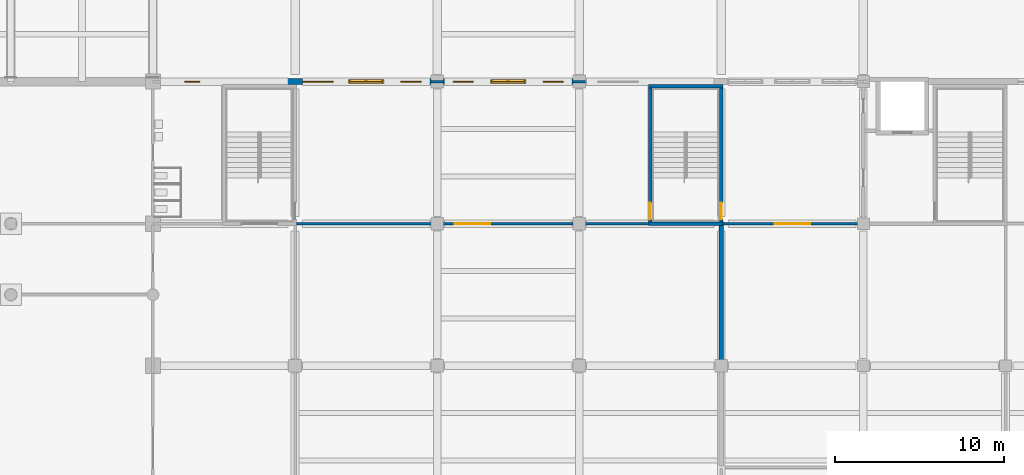
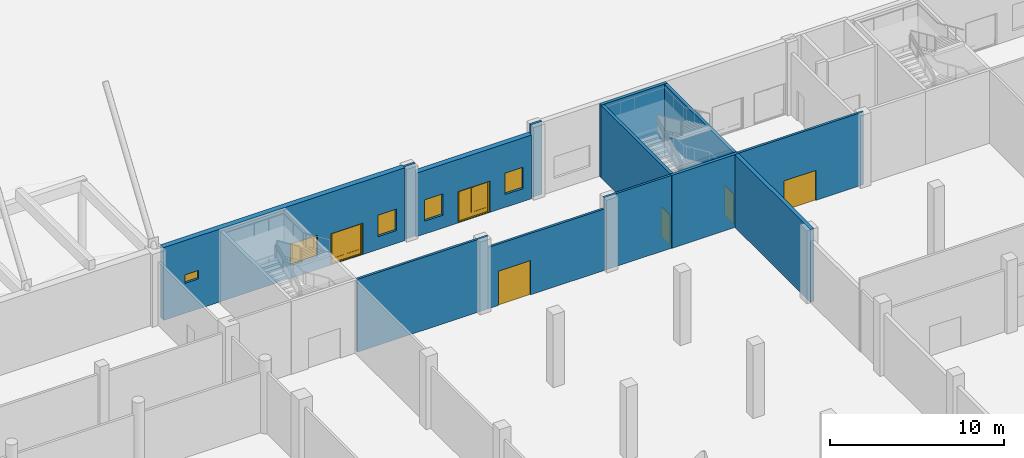
# One storey, part 32 of 74: 13 walls, 6 doors, 5 windows, 11 openings.
"""IFC4 building model written with IfcOpenShell, lengths in metres."""

from ifc_helpers import new_model, si_unit, direction, frame, frame_2d, origin, place, context, subcontext, project, spatial, rectangle, extrude, material, layer, layer_set, type_object, element, fill, save


model = new_model("IFC4")

# Units and contexts
model_context = context("Model", 3, precision=1e-05, world=origin(), true_north=direction((0.0, 1.0)))
body_context = subcontext(model_context, "Body", "Model", "MODEL_VIEW")
ifc_project = project(units=[si_unit("LENGTHUNIT", "METRE"), si_unit("AREAUNIT", "SQUARE_METRE"), si_unit("VOLUMEUNIT", "CUBIC_METRE"), si_unit("PLANEANGLEUNIT", "RADIAN"), si_unit("MASSUNIT", "GRAM", prefix="KILO")], contexts=[model_context])

# Site, building, storey
site_placement = place(None, origin())
site = spatial("IfcSite", under=ifc_project, at=site_placement, CompositionType="ELEMENT")
building_placement = place(site_placement, origin())
building = spatial("IfcBuilding", under=site, at=building_placement, Name="Rulbaag Community and Learning Centre", CompositionType="ELEMENT")
storey_placement = place(building_placement, origin())
storey = spatial("IfcBuildingStorey", under=building, at=storey_placement, Name="L00", CompositionType="ELEMENT", Elevation=0.0)

# Wall
ifc_material_1 = material(Name="Concrete M30", Category="concrete")
ifc_layer_1 = layer(ifc_material_1, 0.25)
ifc_layer_set_1 = layer_set([ifc_layer_1], Name="CW-250 COMPARTMENT WALL 250")
wall_type_1 = type_object("IfcWallType", Name="CW-250 COMPARTMENT WALL 250", PredefinedType="SOLIDWALL", material=ifc_layer_set_1)
wall_1_placement = place(storey_placement, frame((117.60009765625, 33.2451171875, 0.0), z_axis=(0.0, 0.0, 1.0), x_axis=(0.0, 1.0, 0.0)))
element("IfcWall", 1, at=wall_1_placement, inside=storey, type_object=wall_type_1, Name="Fire wall L00 89.2", PredefinedType="SOLIDWALL", context=body_context, shape_type="SweptSolid", body=[
    extrude(rectangle(XDim=8.85498046875, YDim=0.25, at=frame_2d((4.427490234375, 0.0))), origin(), (0.0, 0.0, 1.0), 5.10009765625),
])

# Wall, openings, door, windows
ifc_material_2 = material(Name="Concrete M40", Category="concrete")
ifc_layer_2 = layer(ifc_material_2, 0.35009765625)
ifc_layer_set_2 = layer_set([ifc_layer_2], Name="EW-CONC350")
wall_type_2 = type_object("IfcWallType", Name="EW-CONC350", PredefinedType="STANDARD", material=ifc_layer_set_2)
wall_2_placement = place(storey_placement, frame((84.449951171875, 50.39990234375, 0.0), z_axis=(0.0, 0.0, 1.0), x_axis=(1.0, 0.0, 0.0)))
wall_2 = element("IfcWall", 2, at=wall_2_placement, inside=storey, type_object=wall_type_2, Name="Board-marked concrete cladding wall AN", PredefinedType="STANDARD", context=body_context, shape_type="SweptSolid", body=[
    extrude(rectangle(XDim=15.97509765625, YDim=0.35009765625, at=frame_2d((7.987548828125, 0.0))), origin(), (0.0, 0.0, 1.0), 5.10009765625),
])
opening_1_placement = place(wall_2_placement, frame((11.10009765625, 0.0, 0.0)))
opening_1 = element("IfcOpeningElement", 3, at=opening_1_placement, cuts=wall_2, Name="Opening L00-D092", PredefinedType="OPENING", context=body_context, shape_type="SweptSolid", body=[
    extrude(rectangle(XDim=2.10009765625, YDim=2.199951171875, at=frame_2d((1.050048828125, 1.10009765625))), frame((0.0, 0.18505859375, 0.0), z_axis=(0.0, -1.0, 0.0), x_axis=(1.0, 0.0, 0.0)), (0.0, 0.0, 1.0), 0.3701171875),
])
opening_2_placement = place(wall_2_placement, frame((1.425048828125, 0.0, 2.10009765625)))
opening_2 = element("IfcOpeningElement", 4, at=opening_2_placement, cuts=wall_2, Name="Opening WN5", PredefinedType="OPENING", context=body_context, shape_type="SweptSolid", body=[
    extrude(rectangle(XDim=0.89990234375, YDim=0.60009765625, at=frame_2d((0.449951171875, 0.300048828125))), frame((0.0, 0.18505859375, 0.0), z_axis=(0.0, -1.0, 0.0), x_axis=(1.0, 0.0, 0.0)), (0.0, 0.0, 1.0), 0.3701171875),
])
opening_3_placement = place(wall_2_placement, frame((8.39990234375, 0.0, 0.89990234375)))
opening_3 = element("IfcOpeningElement", 5, at=opening_3_placement, cuts=wall_2, Name="Opening WN16", PredefinedType="OPENING", context=body_context, shape_type="SweptSolid", body=[
    extrude(rectangle(XDim=1.800048828125, YDim=1.5, at=frame_2d((0.89990234375, 0.75))), frame((0.0, 0.18505859375, 0.0), z_axis=(0.0, -1.0, 0.0), x_axis=(1.0, 0.0, 0.0)), (0.0, 0.0, 1.0), 0.3701171875),
])
opening_4_placement = place(wall_2_placement, frame((14.21240234375, 0.0, 0.89990234375)))
opening_4 = element("IfcOpeningElement", 6, at=opening_4_placement, cuts=wall_2, Name="Opening WN1", PredefinedType="OPENING", context=body_context, shape_type="SweptSolid", body=[
    extrude(rectangle(XDim=1.199951171875, YDim=1.5, at=frame_2d((0.60009765625, 0.75))), frame((0.0, 0.18505859375, 0.0), z_axis=(0.0, -1.0, 0.0), x_axis=(1.0, 0.0, 0.0)), (0.0, 0.0, 1.0), 0.3701171875),
])
ifc_material_3 = material(Name="Aluminium", Category="aluminium")
door_type_1 = type_object("IfcDoorType", Name="DG-21", OperationType="DOUBLE_DOOR_SINGLE_SWING", PredefinedType="DOOR", material=ifc_material_3)
door_1_placement = place(opening_1_placement, origin())
door_1 = element("IfcDoor", 7, at=door_1_placement, inside=storey, type_object=door_type_1, Name="Final exit G9", OperationType="SINGLE_SWING_LEFT", OverallHeight=2.199951171875, OverallWidth=2.10009765625, PredefinedType="DOOR", context=body_context, shape_type="SweptSolid", body=[
    extrude(rectangle(XDim=2.10009765625, YDim=0.012939453125, at=frame_2d((1.050048828125, 0.006591796875))), frame((0.0, 0.114990234375, 0.0), z_axis=(0.0, -1.0, 0.0), x_axis=(1.0, 0.0, 0.0)), (0.0, 0.0, 1.0), 0.22998046875),
    extrude(rectangle(XDim=0.074951171875, YDim=2.112060546875, at=frame_2d((0.03759765625, 1.069091796875))), frame((0.0, 0.125, 0.0), z_axis=(0.0, -1.0, 0.0), x_axis=(1.0, 0.0, 0.0)), (0.0, 0.0, 1.0), 0.25),
    extrude(rectangle(XDim=0.074951171875, YDim=2.112060546875, at=frame_2d((2.0625, 1.069091796875))), frame((0.0, 0.125, 0.0), z_axis=(0.0, -1.0, 0.0), x_axis=(1.0, 0.0, 0.0)), (0.0, 0.0, 1.0), 0.25),
    extrude(rectangle(XDim=2.10009765625, YDim=0.074951171875, at=frame_2d((1.050048828125, 2.16259765625))), frame((0.0, 0.114990234375, 0.0), z_axis=(0.0, -1.0, 0.0), x_axis=(1.0, 0.0, 0.0)), (0.0, 0.0, 1.0), 0.22998046875),
    extrude(rectangle(XDim=1.9501953125, YDim=0.300048828125, at=frame_2d((1.050048828125, 0.1630859375))), frame((0.0, 0.02001953125, 0.0), z_axis=(0.0, -1.0, 0.0), x_axis=(1.0, 0.0, 0.0)), (0.0, 0.0, 1.0), 0.0400390625),
    extrude(rectangle(XDim=1.9501953125, YDim=0.1201171875, at=frame_2d((1.050048828125, 2.06494140625))), frame((0.0, 0.02001953125, 0.0), z_axis=(0.0, -1.0, 0.0), x_axis=(1.0, 0.0, 0.0)), (0.0, 0.0, 1.0), 0.0400390625),
    extrude(rectangle(XDim=0.090087890625, YDim=1.69189453125, at=frame_2d((0.119873046875, 1.158935546875))), frame((0.0, 0.02490234375, 0.0), z_axis=(0.0, -1.0, 0.0), x_axis=(1.0, 0.0, 0.0)), (0.0, 0.0, 1.0), 0.050048828125),
    extrude(rectangle(XDim=0.179931640625, YDim=1.69189453125, at=frame_2d((1.050048828125, 1.158935546875))), frame((0.0, 0.02490234375, 0.0), z_axis=(0.0, -1.0, 0.0), x_axis=(1.0, 0.0, 0.0)), (0.0, 0.0, 1.0), 0.050048828125),
    extrude(rectangle(XDim=0.090087890625, YDim=1.69189453125, at=frame_2d((1.980224609375, 1.158935546875))), frame((0.0, 0.02490234375, 0.0), z_axis=(0.0, -1.0, 0.0), x_axis=(1.0, 0.0, 0.0)), (0.0, 0.0, 1.0), 0.050048828125),
    extrude(rectangle(XDim=0.795166015625, YDim=1.69189453125, at=frame_2d((0.5625, 1.158935546875))), frame((0.0, 0.011962890625, 0.0), z_axis=(0.0, -1.0, 0.0), x_axis=(1.0, 0.0, 0.0)), (0.0, 0.0, 1.0), 0.02392578125),
    extrude(rectangle(XDim=0.795166015625, YDim=1.69189453125, at=frame_2d((1.53759765625, 1.158935546875))), frame((0.0, 0.011962890625, 0.0), z_axis=(0.0, -1.0, 0.0), x_axis=(1.0, 0.0, 0.0)), (0.0, 0.0, 1.0), 0.02392578125),
])
fill(opening_1, door_1)
window_type_1 = type_object("IfcWindowType", Name="WK-09", PartitioningType="SINGLE_PANEL", PredefinedType="WINDOW", material=ifc_material_3)
window_1_placement = place(opening_2_placement, origin())
window_1 = element("IfcWindow", 8, at=window_1_placement, inside=storey, type_object=window_type_1, Name="Window WN5", OverallHeight=0.60009765625, OverallWidth=0.89990234375, PartitioningType="SINGLE_PANEL", PredefinedType="WINDOW", context=body_context, shape_type="SweptSolid", body=[
    extrude(rectangle(XDim=0.89990234375, YDim=0.60009765625, at=frame_2d((0.449951171875, 0.300048828125))), frame((0.0, 0.030029296875, 0.0), z_axis=(0.0, -1.0, 0.0), x_axis=(1.0, 0.0, 0.0)), (0.0, 0.0, 1.0), 0.06005859375),
])
fill(opening_2, window_1)
window_type_2 = type_object("IfcWindowType", Name="WN-12", PartitioningType="SINGLE_PANEL", PredefinedType="WINDOW", material=ifc_material_3)
window_2_placement = place(opening_4_placement, origin())
window_2 = element("IfcWindow", 9, at=window_2_placement, inside=storey, type_object=window_type_2, Name="Window WN1", OverallHeight=1.5, OverallWidth=1.199951171875, PartitioningType="SINGLE_PANEL", PredefinedType="WINDOW", context=body_context, shape_type="SweptSolid", body=[
    extrude(rectangle(XDim=1.199951171875, YDim=1.5, at=frame_2d((0.60009765625, 0.75))), frame((0.0, 0.030029296875, 0.0), z_axis=(0.0, -1.0, 0.0), x_axis=(1.0, 0.0, 0.0)), (0.0, 0.0, 1.0), 0.06005859375),
])
fill(opening_4, window_2)
window_type_3 = type_object("IfcWindowType", Name="WN-18", PartitioningType="DOUBLE_PANEL_VERTICAL", PredefinedType="WINDOW", material=ifc_material_3)
window_3_placement = place(opening_3_placement, origin())
window_3 = element("IfcWindow", 10, at=window_3_placement, inside=storey, type_object=window_type_3, Name="Window WN16", OverallHeight=1.5, OverallWidth=1.800048828125, PartitioningType="SINGLE_PANEL", PredefinedType="WINDOW", context=body_context, shape_type="SweptSolid", body=[
    extrude(rectangle(XDim=1.800048828125, YDim=1.5, at=frame_2d((0.89990234375, 0.75))), frame((0.0, 0.030029296875, 0.0), z_axis=(0.0, -1.0, 0.0), x_axis=(1.0, 0.0, 0.0)), (0.0, 0.0, 1.0), 0.06005859375),
])
fill(opening_3, window_3)

wall_3_placement = place(storey_placement, frame((101.175048828125, 50.39990234375, 0.0), z_axis=(0.0, 0.0, 1.0), x_axis=(1.0, 0.0, 0.0)))
wall_3 = element("IfcWall", 11, at=wall_3_placement, inside=storey, type_object=wall_type_2, Name="Board-marked concrete cladding wall AN", PredefinedType="STANDARD", context=body_context, shape_type="SweptSolid", body=[
    extrude(rectangle(XDim=7.64990234375, YDim=0.35009765625, at=frame_2d((3.824951171875, 0.0))), origin(), (0.0, 0.0, 1.0), 4.449951171875),
])
opening_5_placement = place(wall_3_placement, frame((2.77490234375, 0.0, 0.0)))
opening_5 = element("IfcOpeningElement", 12, at=opening_5_placement, cuts=wall_3, Name="Opening L00-D095", PredefinedType="OPENING", context=body_context, shape_type="SweptSolid", body=[
    extrude(rectangle(XDim=2.10009765625, YDim=2.199951171875, at=frame_2d((1.050048828125, 1.10009765625))), frame((0.0, 0.18505859375, 0.0), z_axis=(0.0, -1.0, 0.0), x_axis=(1.0, 0.0, 0.0)), (0.0, 0.0, 1.0), 0.3701171875),
])
opening_6_placement = place(wall_3_placement, frame((0.5625, 0.0, 0.89990234375)))
opening_6 = element("IfcOpeningElement", 13, at=opening_6_placement, cuts=wall_3, Name="Opening WN1", PredefinedType="OPENING", context=body_context, shape_type="SweptSolid", body=[
    extrude(rectangle(XDim=1.199951171875, YDim=1.5, at=frame_2d((0.60009765625, 0.75))), frame((0.0, 0.18505859375, 0.0), z_axis=(0.0, -1.0, 0.0), x_axis=(1.0, 0.0, 0.0)), (0.0, 0.0, 1.0), 0.3701171875),
])
opening_7_placement = place(wall_3_placement, frame((5.887451171875, 0.0, 0.89990234375)))
opening_7 = element("IfcOpeningElement", 14, at=opening_7_placement, cuts=wall_3, Name="Opening WN1", PredefinedType="OPENING", context=body_context, shape_type="SweptSolid", body=[
    extrude(rectangle(XDim=1.199951171875, YDim=1.5, at=frame_2d((0.60009765625, 0.75))), frame((0.0, 0.18505859375, 0.0), z_axis=(0.0, -1.0, 0.0), x_axis=(1.0, 0.0, 0.0)), (0.0, 0.0, 1.0), 0.3701171875),
])
door_2_placement = place(opening_5_placement, origin())
door_2 = element("IfcDoor", 15, at=door_2_placement, inside=storey, type_object=door_type_1, Name="Final exit G10", OperationType="SINGLE_SWING_LEFT", OverallHeight=2.199951171875, OverallWidth=2.10009765625, PredefinedType="DOOR", context=body_context, shape_type="SweptSolid", body=[
    extrude(rectangle(XDim=2.10009765625, YDim=0.012939453125, at=frame_2d((1.050048828125, 0.006591796875))), frame((0.0, 0.114990234375, 0.0), z_axis=(0.0, -1.0, 0.0), x_axis=(1.0, 0.0, 0.0)), (0.0, 0.0, 1.0), 0.22998046875),
    extrude(rectangle(XDim=0.074951171875, YDim=2.112060546875, at=frame_2d((0.03759765625, 1.069091796875))), frame((0.0, 0.125, 0.0), z_axis=(0.0, -1.0, 0.0), x_axis=(1.0, 0.0, 0.0)), (0.0, 0.0, 1.0), 0.25),
    extrude(rectangle(XDim=0.074951171875, YDim=2.112060546875, at=frame_2d((2.0625, 1.069091796875))), frame((0.0, 0.125, 0.0), z_axis=(0.0, -1.0, 0.0), x_axis=(1.0, 0.0, 0.0)), (0.0, 0.0, 1.0), 0.25),
    extrude(rectangle(XDim=2.10009765625, YDim=0.074951171875, at=frame_2d((1.050048828125, 2.16259765625))), frame((0.0, 0.114990234375, 0.0), z_axis=(0.0, -1.0, 0.0), x_axis=(1.0, 0.0, 0.0)), (0.0, 0.0, 1.0), 0.22998046875),
    extrude(rectangle(XDim=1.9501953125, YDim=0.300048828125, at=frame_2d((1.050048828125, 0.1630859375))), frame((0.0, 0.02001953125, 0.0), z_axis=(0.0, -1.0, 0.0), x_axis=(1.0, 0.0, 0.0)), (0.0, 0.0, 1.0), 0.0400390625),
    extrude(rectangle(XDim=1.9501953125, YDim=0.1201171875, at=frame_2d((1.050048828125, 2.06494140625))), frame((0.0, 0.02001953125, 0.0), z_axis=(0.0, -1.0, 0.0), x_axis=(1.0, 0.0, 0.0)), (0.0, 0.0, 1.0), 0.0400390625),
    extrude(rectangle(XDim=0.090087890625, YDim=1.69189453125, at=frame_2d((0.119873046875, 1.158935546875))), frame((0.0, 0.02490234375, 0.0), z_axis=(0.0, -1.0, 0.0), x_axis=(1.0, 0.0, 0.0)), (0.0, 0.0, 1.0), 0.050048828125),
    extrude(rectangle(XDim=0.179931640625, YDim=1.69189453125, at=frame_2d((1.050048828125, 1.158935546875))), frame((0.0, 0.02490234375, 0.0), z_axis=(0.0, -1.0, 0.0), x_axis=(1.0, 0.0, 0.0)), (0.0, 0.0, 1.0), 0.050048828125),
    extrude(rectangle(XDim=0.090087890625, YDim=1.69189453125, at=frame_2d((1.980224609375, 1.158935546875))), frame((0.0, 0.02490234375, 0.0), z_axis=(0.0, -1.0, 0.0), x_axis=(1.0, 0.0, 0.0)), (0.0, 0.0, 1.0), 0.050048828125),
    extrude(rectangle(XDim=0.795166015625, YDim=1.69189453125, at=frame_2d((0.5625, 1.158935546875))), frame((0.0, 0.011962890625, 0.0), z_axis=(0.0, -1.0, 0.0), x_axis=(1.0, 0.0, 0.0)), (0.0, 0.0, 1.0), 0.02392578125),
    extrude(rectangle(XDim=0.795166015625, YDim=1.69189453125, at=frame_2d((1.53759765625, 1.158935546875))), frame((0.0, 0.011962890625, 0.0), z_axis=(0.0, -1.0, 0.0), x_axis=(1.0, 0.0, 0.0)), (0.0, 0.0, 1.0), 0.02392578125),
])
fill(opening_5, door_2)
window_4_placement = place(opening_6_placement, origin())
window_4 = element("IfcWindow", 16, at=window_4_placement, inside=storey, type_object=window_type_2, Name="Window WN1", OverallHeight=1.5, OverallWidth=1.199951171875, PartitioningType="SINGLE_PANEL", PredefinedType="WINDOW", context=body_context, shape_type="SweptSolid", body=[
    extrude(rectangle(XDim=1.199951171875, YDim=1.5, at=frame_2d((0.60009765625, 0.75))), frame((0.0, 0.030029296875, 0.0), z_axis=(0.0, -1.0, 0.0), x_axis=(1.0, 0.0, 0.0)), (0.0, 0.0, 1.0), 0.06005859375),
])
fill(opening_6, window_4)
window_5_placement = place(opening_7_placement, origin())
window_5 = element("IfcWindow", 17, at=window_5_placement, inside=storey, type_object=window_type_2, Name="Window WN1", OverallHeight=1.5, OverallWidth=1.199951171875, PartitioningType="SINGLE_PANEL", PredefinedType="WINDOW", context=body_context, shape_type="SweptSolid", body=[
    extrude(rectangle(XDim=1.199951171875, YDim=1.5, at=frame_2d((0.60009765625, 0.75))), frame((0.0, 0.030029296875, 0.0), z_axis=(0.0, -1.0, 0.0), x_axis=(1.0, 0.0, 0.0)), (0.0, 0.0, 1.0), 0.06005859375),
])
fill(opening_7, window_5)

# Wall
ifc_material_4 = material(Name="Concrete blockwork", Category="masonry")
ifc_layer_3 = layer(ifc_material_4, 0.14990234375)
ifc_layer_set_3 = layer_set([ifc_layer_3], Name="IP-150 PARTITION 150")
wall_type_3 = type_object("IfcWallType", Name="IP-150 PARTITION 150", PredefinedType="PARTITIONING", material=ifc_layer_set_3)
wall_4_placement = place(storey_placement, frame((92.5, 42.0, 0.0), z_axis=(0.0, 0.0, 1.0), x_axis=(1.0, 0.0, 0.0)))
element("IfcWall", 18, at=wall_4_placement, inside=storey, type_object=wall_type_3, Name="Partition L00 31", PredefinedType="PARTITIONING", context=body_context, shape_type="SweptSolid", body=[
    extrude(rectangle(XDim=8.655029296875, YDim=0.14990234375, at=frame_2d((4.32763671875, 0.0))), origin(), (0.0, 0.0, 1.0), 5.10009765625),
])

# Wall, opening, door
wall_5_placement = place(storey_placement, frame((101.155029296875, 42.0, 0.0), z_axis=(0.0, 0.0, 1.0), x_axis=(1.0, 0.0, 0.0)))
wall_5 = element("IfcWall", 19, at=wall_5_placement, inside=storey, type_object=wall_type_3, Name="Partition L00 31.2", PredefinedType="PARTITIONING", context=body_context, shape_type="SweptSolid", body=[
    extrude(rectangle(XDim=7.68994140625, YDim=0.14990234375, at=frame_2d((3.844970703125, 0.0))), origin(), (0.0, 0.0, 1.0), 4.300048828125),
])
opening_8_placement = place(wall_5_placement, frame((0.695068359375, 0.0, 0.0)))
opening_8 = element("IfcOpeningElement", 20, at=opening_8_placement, cuts=wall_5, Name="Opening L00-D093", PredefinedType="OPENING", context=body_context, shape_type="SweptSolid", body=[
    extrude(rectangle(XDim=2.10009765625, YDim=2.39990234375, at=frame_2d((1.050048828125, 1.199951171875))), frame((0.0, 0.0849609375, 0.0), z_axis=(0.0, -1.0, 0.0), x_axis=(1.0, 0.0, 0.0)), (0.0, 0.0, 1.0), 0.169921875),
])
ifc_material_5 = material(Name="Timber", Category="wood")
door_type_2 = type_object("IfcDoorType", Name="D-2100 DINING HALL EXIT DOOR PAIR 2100 x 2400", OperationType="DOUBLE_DOOR_SINGLE_SWING", PredefinedType="DOOR", material=ifc_material_5)
door_3_placement = place(opening_8_placement, origin())
door_3 = element("IfcDoor", 21, at=door_3_placement, inside=storey, type_object=door_type_2, Name="Door L00-D093", OperationType="DOUBLE_DOOR_SINGLE_SWING", OverallHeight=2.39990234375, OverallWidth=2.10009765625, PredefinedType="DOOR", context=body_context, shape_type="SweptSolid", body=[
    extrude(rectangle(XDim=2.10009765625, YDim=2.39990234375, at=frame_2d((1.050048828125, 1.199951171875))), frame((0.0, 0.02490234375, 0.0), z_axis=(0.0, -1.0, 0.0), x_axis=(1.0, 0.0, 0.0)), (0.0, 0.0, 1.0), 0.050048828125),
])
fill(opening_8, door_3)

# Wall
wall_6_placement = place(storey_placement, frame((108.844970703125, 42.0, 0.0), z_axis=(0.0, 0.0, 1.0), x_axis=(1.0, 0.0, 0.0)))
element("IfcWall", 22, at=wall_6_placement, inside=storey, type_object=wall_type_3, Name="Partition L00 31.3", PredefinedType="PARTITIONING", context=body_context, shape_type="SweptSolid", body=[
    extrude(rectangle(XDim=4.455078125, YDim=0.14990234375, at=frame_2d((2.2275390625, 0.0))), origin(), (0.0, 0.0, 1.0), 5.10009765625),
])

# Wall, opening, door
wall_7_placement = place(storey_placement, frame((117.699951171875, 42.0, 0.0), z_axis=(0.0, 0.0, 1.0), x_axis=(1.0, 0.0, 0.0)))
wall_7 = element("IfcWall", 23, at=wall_7_placement, inside=storey, type_object=wall_type_3, Name="Partition L00 32", PredefinedType="PARTITIONING", context=body_context, shape_type="SweptSolid", body=[
    extrude(rectangle(XDim=8.300048828125, YDim=0.14990234375, at=frame_2d((4.14990234375, 0.0))), origin(), (0.0, 0.0, 1.0), 5.10009765625),
])
opening_9_placement = place(wall_7_placement, frame((3.050048828125, 0.0, 0.0)))
opening_9 = element("IfcOpeningElement", 24, at=opening_9_placement, cuts=wall_7, Name="Opening L00-D108", PredefinedType="OPENING", context=body_context, shape_type="SweptSolid", body=[
    extrude(rectangle(XDim=2.10009765625, YDim=2.10009765625, at=frame_2d((1.050048828125, 1.050048828125))), frame((0.0, 0.0849609375, 0.0), z_axis=(0.0, -1.0, 0.0), x_axis=(1.0, 0.0, 0.0)), (0.0, 0.0, 1.0), 0.169921875),
])
door_type_3 = type_object("IfcDoorType", Name="D-2100 DOUBLE DOOR 2100 x 2100", OperationType="DOUBLE_DOOR_SINGLE_SWING", PredefinedType="DOOR", material=ifc_material_5)
door_4_placement = place(opening_9_placement, origin())
door_4 = element("IfcDoor", 25, at=door_4_placement, inside=storey, type_object=door_type_3, Name="Door L00-D108", OperationType="DOUBLE_DOOR_SINGLE_SWING", OverallHeight=2.10009765625, OverallWidth=2.10009765625, PredefinedType="DOOR", context=body_context, shape_type="SweptSolid", body=[
    extrude(rectangle(XDim=2.10009765625, YDim=2.10009765625, at=frame_2d((1.050048828125, 1.050048828125))), frame((0.0, 0.02490234375, 0.0), z_axis=(0.0, -1.0, 0.0), x_axis=(1.0, 0.0, 0.0)), (0.0, 0.0, 1.0), 0.050048828125),
])
fill(opening_9, door_4)

# Walls
for number, where, z_axis, x_axis, name in (
    (26, (100.425048828125, 50.39990234375, 0.0), (0.0, 0.0, 1.0), (1.0, 0.0, 0.0), "Partition L00 38"),
    (27, (108.824951171875, 50.39990234375, 0.0), (0.0, 0.0, 1.0), (1.0, 0.0, 0.0), "Partition L00 39"),
):
    element("IfcWall", number, at=place(storey_placement, frame(where, z_axis=z_axis, x_axis=x_axis)), inside=storey, type_object=wall_type_3, Name=name, PredefinedType="PARTITIONING", context=body_context, shape_type="SweptSolid", body=[
        extrude(rectangle(XDim=0.75, YDim=0.14990234375, at=frame_2d((0.375, 0.0))), origin(), (0.0, 0.0, 1.0), 5.10009765625),
    ])
ifc_layer_4 = layer(ifc_material_2, 0.199951171875)
ifc_layer_set_4 = layer_set([ifc_layer_4], Name="WSE Stair enclosure wall 200 Concrete M40")
wall_type_4 = type_object("IfcWallType", Name="WSE Stair enclosure wall 200 Concrete M40", PredefinedType="SHEAR", material=ifc_layer_set_4)
for number, where, z_axis, x_axis, name in (
    (28, (113.300048828125, 42.0, 0.0), (0.0, 0.0, 1.0), (1.0, 0.0, 0.0), "Stair enclosure wall SH7 S L00"),
    (29, (113.300048828125, 50.125, 0.0), (0.0, 0.0, 1.0), (1.0, 0.0, 0.0), "Stair enclosure wall SH7 N L00"),
):
    element("IfcWall", number, at=place(storey_placement, frame(where, z_axis=z_axis, x_axis=x_axis)), inside=storey, type_object=wall_type_4, Name=name, PredefinedType="SHEAR", context=body_context, shape_type="SweptSolid", body=[
        extrude(rectangle(XDim=4.39990234375, YDim=0.199951171875, at=frame_2d((2.199951171875, 0.0))), origin(), (0.0, 0.0, 1.0), 5.10009765625),
    ])

# Wall, opening, door
wall_8_placement = place(storey_placement, frame((113.39990234375, 42.10009765625, 0.0), z_axis=(0.0, 0.0, 1.0), x_axis=(0.0, 1.0, 0.0)))
wall_8 = element("IfcWall", 30, at=wall_8_placement, inside=storey, type_object=wall_type_4, Name="Stair enclosure wall SH7 W L00", PredefinedType="SHEAR", context=body_context, shape_type="SweptSolid", body=[
    extrude(rectangle(XDim=7.9248046875, YDim=0.199951171875, at=frame_2d((3.96240234375, 0.0))), origin(), (0.0, 0.0, 1.0), 5.10009765625),
])
opening_10_placement = place(wall_8_placement, frame((0.14990234375, 0.0, 0.0)))
opening_10 = element("IfcOpeningElement", 31, at=opening_10_placement, cuts=wall_8, Name="Opening L00-D097", PredefinedType="OPENING", context=body_context, shape_type="SweptSolid", body=[
    extrude(rectangle(XDim=1.0, YDim=2.10009765625, at=frame_2d((0.5, 1.050048828125))), frame((0.0, 0.10986328125, 0.0), z_axis=(0.0, -1.0, 0.0), x_axis=(1.0, 0.0, 0.0)), (0.0, 0.0, 1.0), 0.219970703125),
])
ifc_material_6 = material(Name="Galvanised steel", Category="steel")
door_type_4 = type_object("IfcDoorType", Name="FD-1000 FIRE DOOR 1000 x 2100", OperationType="SINGLE_SWING_LEFT", PredefinedType="DOOR", material=ifc_material_6)
door_5_placement = place(opening_10_placement, origin())
door_5 = element("IfcDoor", 32, at=door_5_placement, inside=storey, type_object=door_type_4, Name="Door L00-D097", OperationType="SINGLE_SWING_LEFT", OverallHeight=2.10009765625, OverallWidth=1.0, PredefinedType="DOOR", context=body_context, shape_type="SweptSolid", body=[
    extrude(rectangle(XDim=1.0, YDim=2.10009765625, at=frame_2d((0.5, 1.050048828125))), frame((0.0, 0.02490234375, 0.0), z_axis=(0.0, -1.0, 0.0), x_axis=(1.0, 0.0, 0.0)), (0.0, 0.0, 1.0), 0.050048828125),
])
fill(opening_10, door_5)

wall_9_placement = place(storey_placement, frame((117.60009765625, 42.10009765625, 0.0), z_axis=(0.0, 0.0, 1.0), x_axis=(0.0, 1.0, 0.0)))
wall_9 = element("IfcWall", 33, at=wall_9_placement, inside=storey, type_object=wall_type_4, Name="Stair enclosure wall SH7 E L00", PredefinedType="SHEAR", context=body_context, shape_type="SweptSolid", body=[
    extrude(rectangle(XDim=7.9248046875, YDim=0.199951171875, at=frame_2d((3.96240234375, 0.0))), origin(), (0.0, 0.0, 1.0), 5.10009765625),
])
opening_11_placement = place(wall_9_placement, frame((0.14990234375, 0.0, 0.0)))
opening_11 = element("IfcOpeningElement", 34, at=opening_11_placement, cuts=wall_9, Name="Opening L00-D104", PredefinedType="OPENING", context=body_context, shape_type="SweptSolid", body=[
    extrude(rectangle(XDim=1.0, YDim=2.10009765625, at=frame_2d((0.5, 1.050048828125))), frame((0.0, 0.10986328125, 0.0), z_axis=(0.0, -1.0, 0.0), x_axis=(1.0, 0.0, 0.0)), (0.0, 0.0, 1.0), 0.219970703125),
])
door_6_placement = place(opening_11_placement, origin())
door_6 = element("IfcDoor", 35, at=door_6_placement, inside=storey, type_object=door_type_4, Name="Door L00-D104", OperationType="SINGLE_SWING_RIGHT", OverallHeight=2.10009765625, OverallWidth=1.0, PredefinedType="DOOR", context=body_context, shape_type="SweptSolid", body=[
    extrude(rectangle(XDim=1.0, YDim=2.10009765625, at=frame_2d((0.5, 1.050048828125))), frame((0.0, 0.02490234375, 0.0), z_axis=(0.0, -1.0, 0.0), x_axis=(1.0, 0.0, 0.0)), (0.0, 0.0, 1.0), 0.050048828125),
])
fill(opening_11, door_6)

save(model, "model.ifc")
